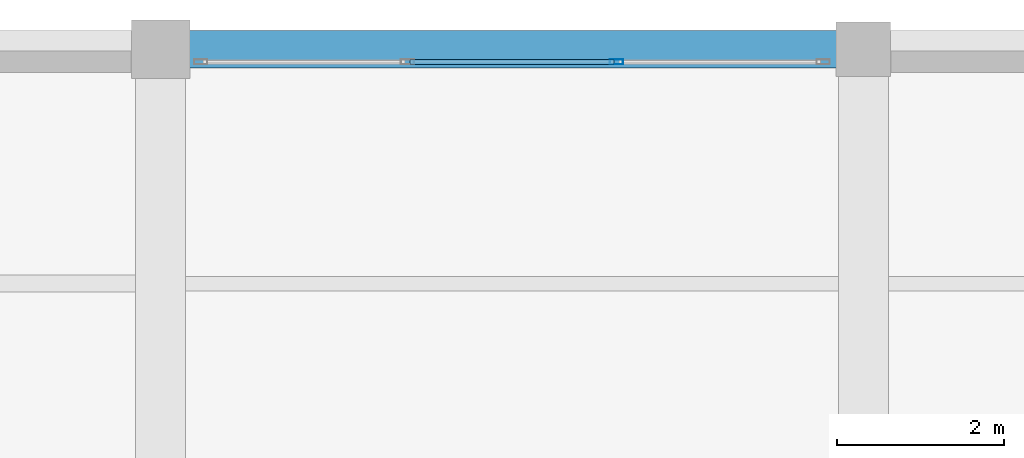
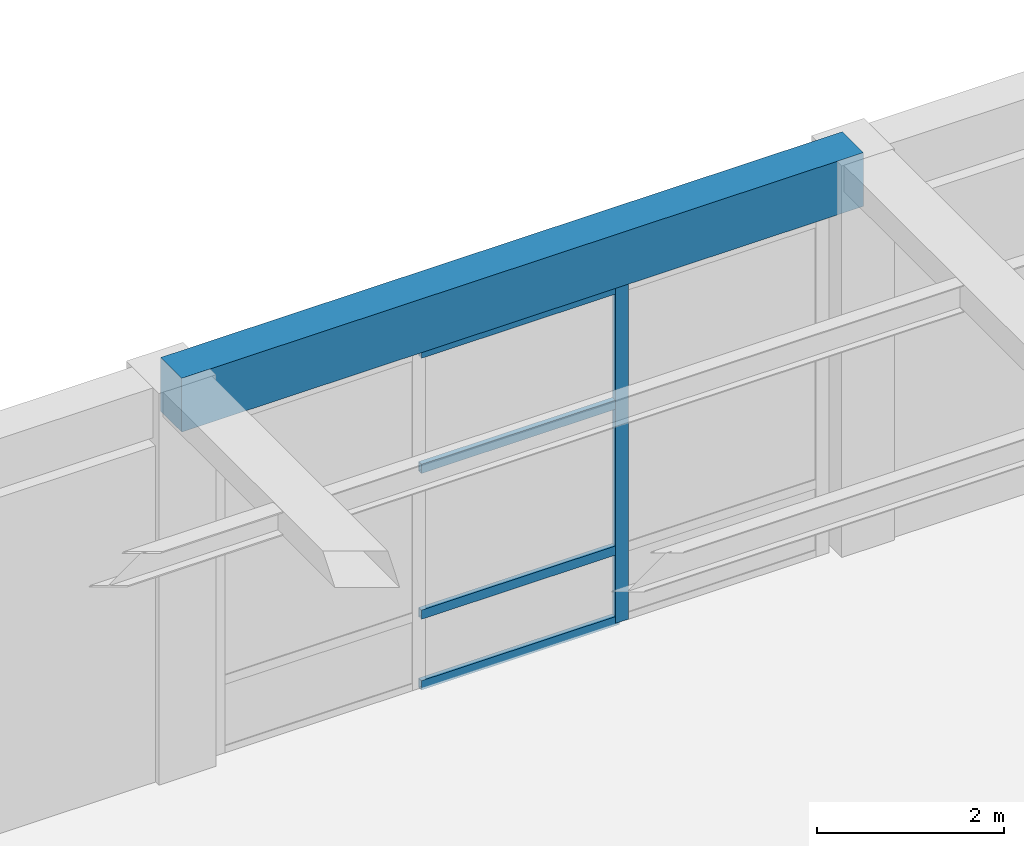
# One storey, part 51 of 95: 5 members, 1 beam, 1 element without a shape of its own.
"""IFC4 building model written with IfcOpenShell, lengths in metres."""

from ifc_helpers import new_model, si_unit, direction, frame, origin, origin_2d, place, context, subcontext, project, spatial, rectangle, hollow_rectangle, extrude, material, material_profile, profile_set, type_object, element, aggregate, save


model = new_model("IFC4")

# Units and contexts
model_context = context("Model", 3, precision=1e-05, world=origin(), true_north=direction((0.0, 1.0)))
body_context = subcontext(model_context, "Body", "Model", "MODEL_VIEW")
ifc_project = project(units=[si_unit("LENGTHUNIT", "METRE"), si_unit("AREAUNIT", "SQUARE_METRE"), si_unit("VOLUMEUNIT", "CUBIC_METRE"), si_unit("PLANEANGLEUNIT", "RADIAN"), si_unit("MASSUNIT", "GRAM", prefix="KILO")], contexts=[model_context])

# Site, building, storey
site_placement = place(None, origin())
site = spatial("IfcSite", under=ifc_project, at=site_placement, CompositionType="ELEMENT")
building_placement = place(site_placement, origin())
building = spatial("IfcBuilding", under=site, at=building_placement, Name="Almacenes y Pasaje Nevantli", CompositionType="ELEMENT")
storey_placement = place(building_placement, frame((0.0, 0.0, 11.39990234375)))
storey = spatial("IfcBuildingStorey", under=building, at=storey_placement, Name="L03", CompositionType="ELEMENT", Elevation=11.39990234375)

# Beam
ifc_material_1 = material(Name="Concrete C35/45", Category="concrete")
ifc_material_profile_1 = material_profile(ifc_material_1, rectangle(XDim=0.449951171875, YDim=0.699951171875, at=origin_2d()), Name="RC-BM-450x700")
ifc_profile_set_1 = profile_set([ifc_material_profile_1], Name="Concrete C35/45")
beam_type = type_object("IfcBeamType", Name="BM-RC-450x700", PredefinedType="SPANDREL", material=ifc_profile_set_1)
beam_placement = place(storey_placement, frame((117.60009765625, 117.60009765625, 4.75), z_axis=(1.0, 0.0, 0.0), x_axis=(0.0, 1.0, 0.0)))
element("IfcBeam", 1, at=beam_placement, inside=storey, type_object=beam_type, Name="L03 East-West Reinforced Concrete Beam #2474", PredefinedType="SPANDREL", context=body_context, shape_type="SweptSolid", body=[
    extrude(rectangle(XDim=0.449951171875, YDim=0.699951171875, at=origin_2d()), origin(), (0.0, 0.0, 1.0), 8.39990234375),
])

# Curtain wall, members
ifc_material_2 = material(Name="Thermally Broken Aluminium and Low-E Glass", Category="aluminium")
curtain_wall_type = type_object("IfcCurtainWallType", Name="CW-STF-BLVD", PredefinedType="USERDEFINED", material=ifc_material_2)
curtain_wall_placement = place(storey_placement, origin())
curtain_wall = element("IfcCurtainWall", 2, at=curtain_wall_placement, inside=storey, type_object=curtain_wall_type, Name="L03 North Boulevard Retail Curtain Wall Bay 15", ObjectType="STOREFRONT GLAZING", PredefinedType="USERDEFINED")
ifc_material_3 = material(Name="Thermally Broken Anodized Aluminium", Category="aluminium")
ifc_material_profile_2 = material_profile(ifc_material_3, hollow_rectangle(XDim=0.06005859375, YDim=0.159912109375, WallThickness=0.00390625, at=origin_2d()), Name="ALU-MUL-60x160")
ifc_profile_set_2 = profile_set([ifc_material_profile_2], Name="Thermally Broken Anodized Aluminium")
member_type_1 = type_object("IfcMemberType", Name="CW-MUL-180", PredefinedType="MULLION", material=ifc_profile_set_2)
member_1_placement = place(storey_placement, frame((123.050048828125, 117.449951171875, 0.0), z_axis=(0.0, 0.0, 1.0), x_axis=(0.0, 1.0, 0.0)))
member_1 = element("IfcMember", 3, at=member_1_placement, type_object=member_type_1, Name="CW-L03-042 mullion 3", PredefinedType="MULLION", context=body_context, shape_type="SweptSolid", body=[
    extrude(hollow_rectangle(XDim=0.06005859375, YDim=0.159912109375, WallThickness=0.00390625, at=origin_2d()), origin(), (0.0, 0.0, 1.0), 4.380126953125),
])
ifc_material_4 = material(Name="Thermally Broken Anodized Aluminium", Category="aluminium")
ifc_material_profile_3 = material_profile(ifc_material_4, hollow_rectangle(XDim=0.06005859375, YDim=0.1201171875, WallThickness=0.00341796875, at=origin_2d()), Name="ALU-TRN-60x120")
ifc_profile_set_3 = profile_set([ifc_material_profile_3], Name="Thermally Broken Anodized Aluminium")
member_type_2 = type_object("IfcMemberType", Name="CW-TRN-130", PredefinedType="USERDEFINED", material=ifc_profile_set_3)
member_2_placement = place(storey_placement, frame((120.580078125, 117.449951171875, 0.030029296875), z_axis=(1.0, 0.0, 0.0), x_axis=(0.0, 1.0, 0.0)))
member_2 = element("IfcMember", 4, at=member_2_placement, type_object=member_type_2, Name="CW-L03-042 transom 2.1", ObjectType="TRANSOM", PredefinedType="USERDEFINED", context=body_context, shape_type="SweptSolid", body=[
    extrude(hollow_rectangle(XDim=0.06005859375, YDim=0.1201171875, WallThickness=0.00341796875, at=origin_2d()), origin(), (0.0, 0.0, 1.0), 2.43994140625),
])
member_3_placement = place(storey_placement, frame((120.580078125, 117.449951171875, 0.9501953125), z_axis=(1.0, 0.0, 0.0), x_axis=(0.0, 1.0, 0.0)))
member_3 = element("IfcMember", 5, at=member_3_placement, type_object=member_type_2, Name="CW-L03-042 transom 2.2", ObjectType="TRANSOM", PredefinedType="USERDEFINED", context=body_context, shape_type="SweptSolid", body=[
    extrude(hollow_rectangle(XDim=0.06005859375, YDim=0.1201171875, WallThickness=0.00341796875, at=origin_2d()), origin(), (0.0, 0.0, 1.0), 2.43994140625),
])
member_4_placement = place(storey_placement, frame((120.580078125, 117.449951171875, 2.85009765625), z_axis=(1.0, 0.0, 0.0), x_axis=(0.0, 1.0, 0.0)))
member_4 = element("IfcMember", 6, at=member_4_placement, type_object=member_type_2, Name="CW-L03-042 transom 2.3", ObjectType="TRANSOM", PredefinedType="USERDEFINED", context=body_context, shape_type="SweptSolid", body=[
    extrude(hollow_rectangle(XDim=0.06005859375, YDim=0.1201171875, WallThickness=0.00341796875, at=origin_2d()), origin(), (0.0, 0.0, 1.0), 2.43994140625),
])
member_5_placement = place(storey_placement, frame((120.580078125, 117.449951171875, 4.35009765625), z_axis=(1.0, 0.0, 0.0), x_axis=(0.0, 1.0, 0.0)))
member_5 = element("IfcMember", 7, at=member_5_placement, type_object=member_type_2, Name="CW-L03-042 transom 2.4", ObjectType="TRANSOM", PredefinedType="USERDEFINED", context=body_context, shape_type="SweptSolid", body=[
    extrude(hollow_rectangle(XDim=0.06005859375, YDim=0.1201171875, WallThickness=0.00341796875, at=origin_2d()), origin(), (0.0, 0.0, 1.0), 2.43994140625),
])
aggregate(curtain_wall, [member_1, member_2, member_3, member_4, member_5])

save(model, "model.ifc")
